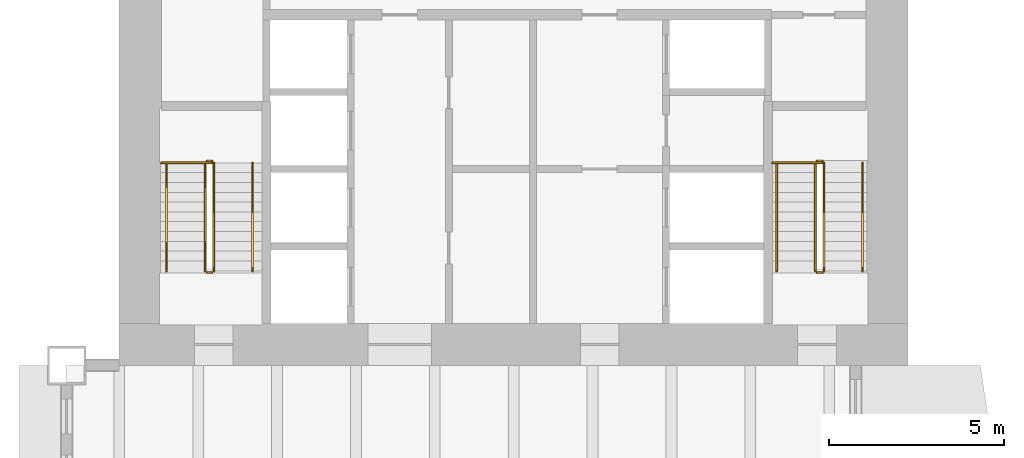
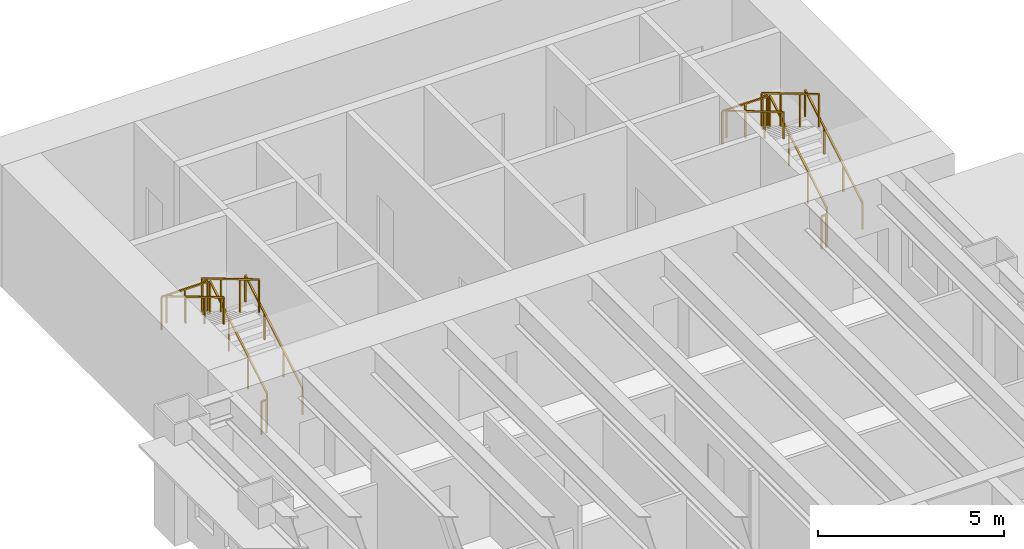
# One storey, part 15 of 15: 14 railings.
"""IFC4 building model written with IfcOpenShell, lengths in metres."""

from ifc_helpers import new_model, si_unit, direction, frame, origin, origin_2d, place, context, subcontext, project, spatial, rectangle, extrude, material, type_object, element, save


model = new_model("IFC4")

# Units and contexts
model_context = context("Model", 3, precision=1e-05, world=origin(), true_north=direction((0.0, 1.0)))
body_context = subcontext(model_context, "Body", "Model", "MODEL_VIEW")
ifc_project = project(units=[si_unit("LENGTHUNIT", "METRE"), si_unit("AREAUNIT", "SQUARE_METRE"), si_unit("VOLUMEUNIT", "CUBIC_METRE"), si_unit("PLANEANGLEUNIT", "RADIAN"), si_unit("MASSUNIT", "GRAM", prefix="KILO")], contexts=[model_context])

# Site, building, storey
site_placement = place(None, origin())
site = spatial("IfcSite", under=ifc_project, at=site_placement, CompositionType="ELEMENT")
building_placement = place(site_placement, origin())
building = spatial("IfcBuilding", under=site, at=building_placement, Name="Sennacour Bend Tower", CompositionType="ELEMENT")
storey_placement = place(building_placement, frame((0.0, 0.0, 33.0)))
storey = spatial("IfcBuildingStorey", under=building, at=storey_placement, Name="L06", CompositionType="ELEMENT", Elevation=33.0)

# Railings
ifc_material = material(Name="Stainless steel", Category="steel")
railing_type_1 = type_object("IfcRailingType", Name="RL-GUARD-1100", PredefinedType="GUARDRAIL", material=ifc_material)
railing_1_placement = place(storey_placement, frame((2.699951171875, 38.699951171875, 0.166748046875)))
element("IfcRailing", 1, at=railing_1_placement, inside=storey, type_object=railing_type_1, Name="L06 SB1 stair guard 1", PredefinedType="GUARDRAIL", context=body_context, shape_type="SweptSolid", body=[
    extrude(rectangle(XDim=0.048095703125, YDim=0.048095703125, at=origin_2d()), frame((0.0, 0.0, 1.076171875), z_axis=(0.0, 0.859308565015, 0.511457515432), x_axis=(-1.0, 0.0, 0.0)), (0.0, 0.0, 1.0), 3.58447265625),
    extrude(rectangle(XDim=0.0419921875, YDim=0.0419921875, at=origin_2d()), origin(), (0.0, 0.0, 1.0), 1.052001953125),
    extrude(rectangle(XDim=0.0419921875, YDim=0.0419921875, at=origin_2d()), frame((0.0, 1.026611328125, 0.611083984375)), (0.0, 0.0, 1.0), 1.052001953125),
    extrude(rectangle(XDim=0.0419921875, YDim=0.0419921875, at=origin_2d()), frame((0.0, 2.053466796875, 1.22216796875)), (0.0, 0.0, 1.0), 1.052001953125),
    extrude(rectangle(XDim=0.0419921875, YDim=0.0419921875, at=origin_2d()), frame((0.0, 3.080078125, 1.833251953125)), (0.0, 0.0, 1.0), 1.052001953125),
])
railing_2_placement = place(storey_placement, frame((2.64990234375, 41.830078125, 2.0)))
element("IfcRailing", 2, at=railing_2_placement, inside=storey, type_object=railing_type_1, Name="L06 SB1 stair guard 2", PredefinedType="GUARDRAIL", context=body_context, shape_type="SweptSolid", body=[
    extrude(rectangle(XDim=0.048095703125, YDim=0.048095703125, at=origin_2d()), frame((0.0, 0.0, 1.076171875), z_axis=(-1.0, 0.0, 0.0), x_axis=(0.0, -1.0, 0.0)), (0.0, 0.0, 1.0), 0.14990234375),
    extrude(rectangle(XDim=0.0419921875, YDim=0.0419921875, at=origin_2d()), origin(), (0.0, 0.0, 1.0), 1.052001953125),
    extrude(rectangle(XDim=0.0419921875, YDim=0.0419921875, at=origin_2d()), frame((-0.14990234375, 0.0, 0.0)), (0.0, 0.0, 1.0), 1.052001953125),
])
railing_3_placement = place(storey_placement, frame((2.449951171875, 41.780029296875, 2.166748046875)))
element("IfcRailing", 3, at=railing_3_placement, inside=storey, type_object=railing_type_1, Name="L06 SB1 stair guard 4", PredefinedType="GUARDRAIL", context=body_context, shape_type="SweptSolid", body=[
    extrude(rectangle(XDim=0.048095703125, YDim=0.048095703125, at=origin_2d()), frame((0.0, 0.0, 1.076171875), z_axis=(0.0, -0.859308565015, 0.511457515432), x_axis=(1.0, 0.0, 0.0)), (0.0, 0.0, 1.0), 3.58447265625),
    extrude(rectangle(XDim=0.0419921875, YDim=0.0419921875, at=origin_2d()), origin(), (0.0, 0.0, 1.0), 1.052001953125),
    extrude(rectangle(XDim=0.0419921875, YDim=0.0419921875, at=origin_2d()), frame((0.0, -1.026611328125, 0.611083984375)), (0.0, 0.0, 1.0), 1.052001953125),
    extrude(rectangle(XDim=0.0419921875, YDim=0.0419921875, at=origin_2d()), frame((0.0, -2.053466796875, 1.22216796875)), (0.0, 0.0, 1.0), 1.052001953125),
    extrude(rectangle(XDim=0.0419921875, YDim=0.0419921875, at=origin_2d()), frame((0.0, -3.080078125, 1.833251953125)), (0.0, 0.0, 1.0), 1.052001953125),
])
railing_4_placement = place(storey_placement, frame((2.64990234375, 38.64990234375, 0.0)))
element("IfcRailing", 4, at=railing_4_placement, inside=storey, type_object=railing_type_1, Name="L06 SB1 stair guard 5", PredefinedType="GUARDRAIL", context=body_context, shape_type="SweptSolid", body=[
    extrude(rectangle(XDim=0.048095703125, YDim=0.048095703125, at=origin_2d()), frame((0.0, 0.0, 1.076171875), z_axis=(-1.0, 0.0, 0.0), x_axis=(0.0, -1.0, 0.0)), (0.0, 0.0, 1.0), 0.14990234375),
    extrude(rectangle(XDim=0.0419921875, YDim=0.0419921875, at=origin_2d()), origin(), (0.0, 0.0, 1.0), 1.052001953125),
    extrude(rectangle(XDim=0.0419921875, YDim=0.0419921875, at=origin_2d()), frame((-0.14990234375, 0.0, 0.0)), (0.0, 0.0, 1.0), 1.052001953125),
])
railing_5_placement = place(storey_placement, frame((2.64990234375, 41.780029296875, 2.0)))
element("IfcRailing", 5, at=railing_5_placement, inside=storey, type_object=railing_type_1, Name="L06 SB1 landing edge guard 25", PredefinedType="GUARDRAIL", context=body_context, shape_type="SweptSolid", body=[
    extrude(rectangle(XDim=0.048095703125, YDim=0.048095703125, at=origin_2d()), frame((0.0, 0.0, 1.076171875), z_axis=(-1.0, 0.0, 0.0), x_axis=(0.0, -1.0, 0.0)), (0.0, 0.0, 1.0), 1.449951171875),
    extrude(rectangle(XDim=0.0419921875, YDim=0.0419921875, at=origin_2d()), origin(), (0.0, 0.0, 1.0), 1.052001953125),
    extrude(rectangle(XDim=0.0419921875, YDim=0.0419921875, at=origin_2d()), frame((-0.72509765625, 0.0, 0.0)), (0.0, 0.0, 1.0), 1.052001953125),
    extrude(rectangle(XDim=0.0419921875, YDim=0.0419921875, at=origin_2d()), frame((-1.449951171875, 0.0, 0.0)), (0.0, 0.0, 1.0), 1.052001953125),
])
railing_6_placement = place(storey_placement, frame((20.10009765625, 38.699951171875, 0.166748046875)))
element("IfcRailing", 6, at=railing_6_placement, inside=storey, type_object=railing_type_1, Name="L06 SB2 stair guard 1", PredefinedType="GUARDRAIL", context=body_context, shape_type="SweptSolid", body=[
    extrude(rectangle(XDim=0.048095703125, YDim=0.048095703125, at=origin_2d()), frame((0.0, 0.0, 1.076171875), z_axis=(0.0, 0.859308565015, 0.511457515432), x_axis=(-1.0, 0.0, 0.0)), (0.0, 0.0, 1.0), 3.58447265625),
    extrude(rectangle(XDim=0.0419921875, YDim=0.0419921875, at=origin_2d()), origin(), (0.0, 0.0, 1.0), 1.052001953125),
    extrude(rectangle(XDim=0.0419921875, YDim=0.0419921875, at=origin_2d()), frame((0.0, 1.026611328125, 0.611083984375)), (0.0, 0.0, 1.0), 1.052001953125),
    extrude(rectangle(XDim=0.0419921875, YDim=0.0419921875, at=origin_2d()), frame((0.0, 2.053466796875, 1.22216796875)), (0.0, 0.0, 1.0), 1.052001953125),
    extrude(rectangle(XDim=0.0419921875, YDim=0.0419921875, at=origin_2d()), frame((0.0, 3.080078125, 1.833251953125)), (0.0, 0.0, 1.0), 1.052001953125),
])
railing_7_placement = place(storey_placement, frame((20.050048828125, 41.830078125, 2.0)))
element("IfcRailing", 7, at=railing_7_placement, inside=storey, type_object=railing_type_1, Name="L06 SB2 stair guard 2", PredefinedType="GUARDRAIL", context=body_context, shape_type="SweptSolid", body=[
    extrude(rectangle(XDim=0.048095703125, YDim=0.048095703125, at=origin_2d()), frame((0.0, 0.0, 1.076171875), z_axis=(-1.0, 0.0, 0.0), x_axis=(0.0, -1.0, 0.0)), (0.0, 0.0, 1.0), 0.150146484375),
    extrude(rectangle(XDim=0.0419921875, YDim=0.0419921875, at=origin_2d()), origin(), (0.0, 0.0, 1.0), 1.052001953125),
    extrude(rectangle(XDim=0.0419921875, YDim=0.0419921875, at=origin_2d()), frame((-0.150146484375, 0.0, 0.0)), (0.0, 0.0, 1.0), 1.052001953125),
])
railing_8_placement = place(storey_placement, frame((19.85009765625, 41.780029296875, 2.166748046875)))
element("IfcRailing", 8, at=railing_8_placement, inside=storey, type_object=railing_type_1, Name="L06 SB2 stair guard 4", PredefinedType="GUARDRAIL", context=body_context, shape_type="SweptSolid", body=[
    extrude(rectangle(XDim=0.048095703125, YDim=0.048095703125, at=origin_2d()), frame((0.0, 0.0, 1.076171875), z_axis=(0.0, -0.859308565015, 0.511457515432), x_axis=(1.0, 0.0, 0.0)), (0.0, 0.0, 1.0), 3.58447265625),
    extrude(rectangle(XDim=0.0419921875, YDim=0.0419921875, at=origin_2d()), origin(), (0.0, 0.0, 1.0), 1.052001953125),
    extrude(rectangle(XDim=0.0419921875, YDim=0.0419921875, at=origin_2d()), frame((0.0, -1.026611328125, 0.611083984375)), (0.0, 0.0, 1.0), 1.052001953125),
    extrude(rectangle(XDim=0.0419921875, YDim=0.0419921875, at=origin_2d()), frame((0.0, -2.053466796875, 1.22216796875)), (0.0, 0.0, 1.0), 1.052001953125),
    extrude(rectangle(XDim=0.0419921875, YDim=0.0419921875, at=origin_2d()), frame((0.0, -3.080078125, 1.833251953125)), (0.0, 0.0, 1.0), 1.052001953125),
])
railing_9_placement = place(storey_placement, frame((20.050048828125, 38.64990234375, 0.0)))
element("IfcRailing", 9, at=railing_9_placement, inside=storey, type_object=railing_type_1, Name="L06 SB2 stair guard 5", PredefinedType="GUARDRAIL", context=body_context, shape_type="SweptSolid", body=[
    extrude(rectangle(XDim=0.048095703125, YDim=0.048095703125, at=origin_2d()), frame((0.0, 0.0, 1.076171875), z_axis=(-1.0, 0.0, 0.0), x_axis=(0.0, -1.0, 0.0)), (0.0, 0.0, 1.0), 0.150146484375),
    extrude(rectangle(XDim=0.0419921875, YDim=0.0419921875, at=origin_2d()), origin(), (0.0, 0.0, 1.0), 1.052001953125),
    extrude(rectangle(XDim=0.0419921875, YDim=0.0419921875, at=origin_2d()), frame((-0.150146484375, 0.0, 0.0)), (0.0, 0.0, 1.0), 1.052001953125),
])
railing_10_placement = place(storey_placement, frame((20.050048828125, 41.780029296875, 2.0)))
element("IfcRailing", 10, at=railing_10_placement, inside=storey, type_object=railing_type_1, Name="L06 SB2 landing edge guard 17", PredefinedType="GUARDRAIL", context=body_context, shape_type="SweptSolid", body=[
    extrude(rectangle(XDim=0.048095703125, YDim=0.048095703125, at=origin_2d()), frame((0.0, 0.0, 1.076171875), z_axis=(-1.0, 0.0, 0.0), x_axis=(0.0, -1.0, 0.0)), (0.0, 0.0, 1.0), 1.425048828125),
    extrude(rectangle(XDim=0.0419921875, YDim=0.0419921875, at=origin_2d()), origin(), (0.0, 0.0, 1.0), 1.052001953125),
    extrude(rectangle(XDim=0.0419921875, YDim=0.0419921875, at=origin_2d()), frame((-0.71240234375, 0.0, 0.0)), (0.0, 0.0, 1.0), 1.052001953125),
    extrude(rectangle(XDim=0.0419921875, YDim=0.0419921875, at=origin_2d()), frame((-1.425048828125, 0.0, 0.0)), (0.0, 0.0, 1.0), 1.052001953125),
])
railing_type_2 = type_object("IfcRailingType", Name="RL-HANDRAIL-900", PredefinedType="HANDRAIL", material=ifc_material)
railing_11_placement = place(storey_placement, frame((3.800048828125, 38.699951171875, 0.166748046875)))
element("IfcRailing", 11, at=railing_11_placement, inside=storey, type_object=railing_type_2, Name="L06 SB1 stair handrail 1", PredefinedType="HANDRAIL", context=body_context, shape_type="SweptSolid", body=[
    extrude(rectangle(XDim=0.048095703125, YDim=0.048095703125, at=origin_2d()), frame((0.0, 0.0, 0.8759765625), z_axis=(0.0, 0.859308565015, 0.511457515432), x_axis=(-1.0, 0.0, 0.0)), (0.0, 0.0, 1.0), 3.58447265625),
    extrude(rectangle(XDim=0.0419921875, YDim=0.0419921875, at=origin_2d()), origin(), (0.0, 0.0, 1.0), 0.851806640625),
    extrude(rectangle(XDim=0.0419921875, YDim=0.0419921875, at=origin_2d()), frame((0.0, 1.026611328125, 0.611083984375)), (0.0, 0.0, 1.0), 0.851806640625),
    extrude(rectangle(XDim=0.0419921875, YDim=0.0419921875, at=origin_2d()), frame((0.0, 2.053466796875, 1.22216796875)), (0.0, 0.0, 1.0), 0.851806640625),
    extrude(rectangle(XDim=0.0419921875, YDim=0.0419921875, at=origin_2d()), frame((0.0, 3.080078125, 1.833251953125)), (0.0, 0.0, 1.0), 0.851806640625),
])
railing_12_placement = place(storey_placement, frame((1.35009765625, 41.780029296875, 2.166748046875)))
element("IfcRailing", 12, at=railing_12_placement, inside=storey, type_object=railing_type_2, Name="L06 SB1 stair handrail 2", PredefinedType="HANDRAIL", context=body_context, shape_type="SweptSolid", body=[
    extrude(rectangle(XDim=0.048095703125, YDim=0.048095703125, at=origin_2d()), frame((0.0, 0.0, 0.8759765625), z_axis=(0.0, -0.859308565015, 0.511457515432), x_axis=(1.0, 0.0, 0.0)), (0.0, 0.0, 1.0), 3.58447265625),
    extrude(rectangle(XDim=0.0419921875, YDim=0.0419921875, at=origin_2d()), origin(), (0.0, 0.0, 1.0), 0.851806640625),
    extrude(rectangle(XDim=0.0419921875, YDim=0.0419921875, at=origin_2d()), frame((0.0, -1.026611328125, 0.611083984375)), (0.0, 0.0, 1.0), 0.851806640625),
    extrude(rectangle(XDim=0.0419921875, YDim=0.0419921875, at=origin_2d()), frame((0.0, -2.053466796875, 1.22216796875)), (0.0, 0.0, 1.0), 0.851806640625),
    extrude(rectangle(XDim=0.0419921875, YDim=0.0419921875, at=origin_2d()), frame((0.0, -3.080078125, 1.833251953125)), (0.0, 0.0, 1.0), 0.851806640625),
])
railing_13_placement = place(storey_placement, frame((21.199951171875, 38.699951171875, 0.166748046875)))
element("IfcRailing", 13, at=railing_13_placement, inside=storey, type_object=railing_type_2, Name="L06 SB2 stair handrail 1", PredefinedType="HANDRAIL", context=body_context, shape_type="SweptSolid", body=[
    extrude(rectangle(XDim=0.048095703125, YDim=0.048095703125, at=origin_2d()), frame((0.0, 0.0, 0.8759765625), z_axis=(0.0, 0.859308565015, 0.511457515432), x_axis=(-1.0, 0.0, 0.0)), (0.0, 0.0, 1.0), 3.58447265625),
    extrude(rectangle(XDim=0.0419921875, YDim=0.0419921875, at=origin_2d()), origin(), (0.0, 0.0, 1.0), 0.851806640625),
    extrude(rectangle(XDim=0.0419921875, YDim=0.0419921875, at=origin_2d()), frame((0.0, 1.026611328125, 0.611083984375)), (0.0, 0.0, 1.0), 0.851806640625),
    extrude(rectangle(XDim=0.0419921875, YDim=0.0419921875, at=origin_2d()), frame((0.0, 2.053466796875, 1.22216796875)), (0.0, 0.0, 1.0), 0.851806640625),
    extrude(rectangle(XDim=0.0419921875, YDim=0.0419921875, at=origin_2d()), frame((0.0, 3.080078125, 1.833251953125)), (0.0, 0.0, 1.0), 0.851806640625),
])
railing_14_placement = place(storey_placement, frame((18.75, 41.780029296875, 2.166748046875)))
element("IfcRailing", 14, at=railing_14_placement, inside=storey, type_object=railing_type_2, Name="L06 SB2 stair handrail 2", PredefinedType="HANDRAIL", context=body_context, shape_type="SweptSolid", body=[
    extrude(rectangle(XDim=0.048095703125, YDim=0.048095703125, at=origin_2d()), frame((0.0, 0.0, 0.8759765625), z_axis=(0.0, -0.859308565015, 0.511457515432), x_axis=(1.0, 0.0, 0.0)), (0.0, 0.0, 1.0), 3.58447265625),
    extrude(rectangle(XDim=0.0419921875, YDim=0.0419921875, at=origin_2d()), origin(), (0.0, 0.0, 1.0), 0.851806640625),
    extrude(rectangle(XDim=0.0419921875, YDim=0.0419921875, at=origin_2d()), frame((0.0, -1.026611328125, 0.611083984375)), (0.0, 0.0, 1.0), 0.851806640625),
    extrude(rectangle(XDim=0.0419921875, YDim=0.0419921875, at=origin_2d()), frame((0.0, -2.053466796875, 1.22216796875)), (0.0, 0.0, 1.0), 0.851806640625),
    extrude(rectangle(XDim=0.0419921875, YDim=0.0419921875, at=origin_2d()), frame((0.0, -3.080078125, 1.833251953125)), (0.0, 0.0, 1.0), 0.851806640625),
])

save(model, "model.ifc")
